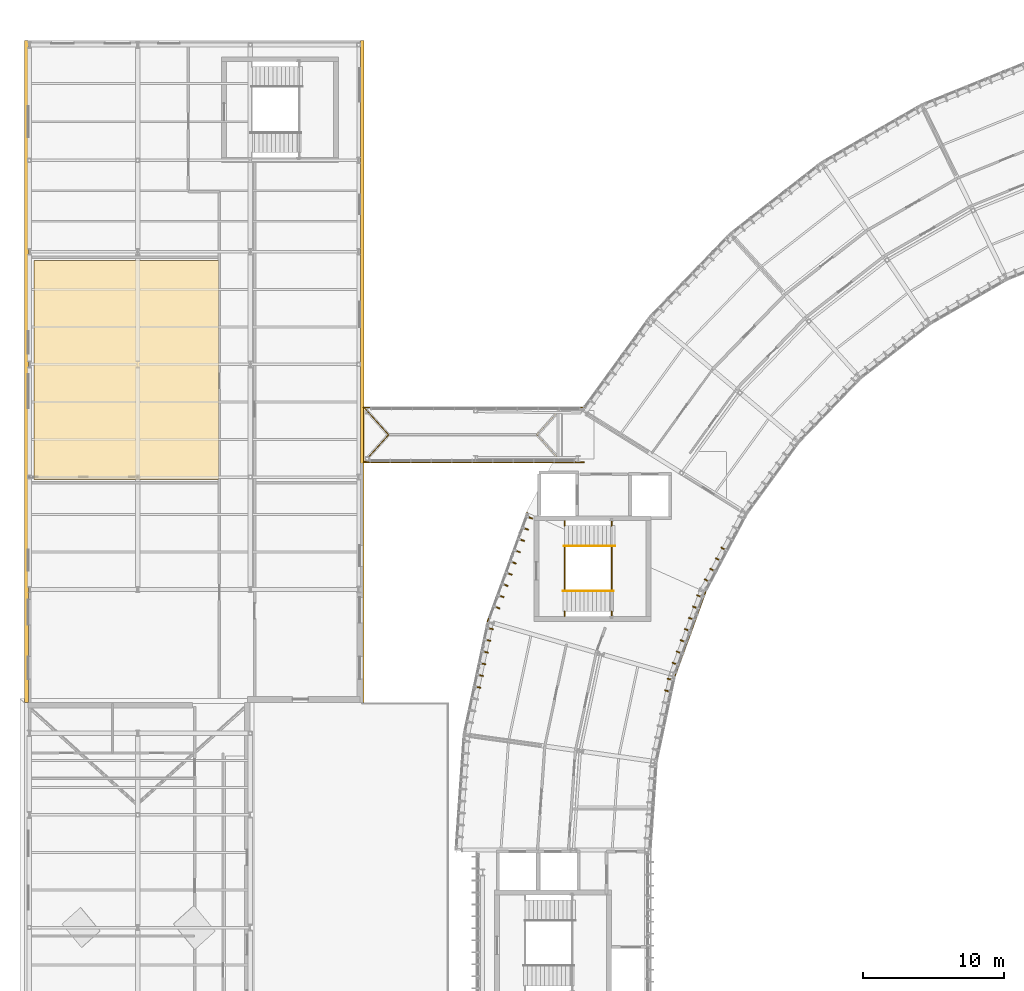
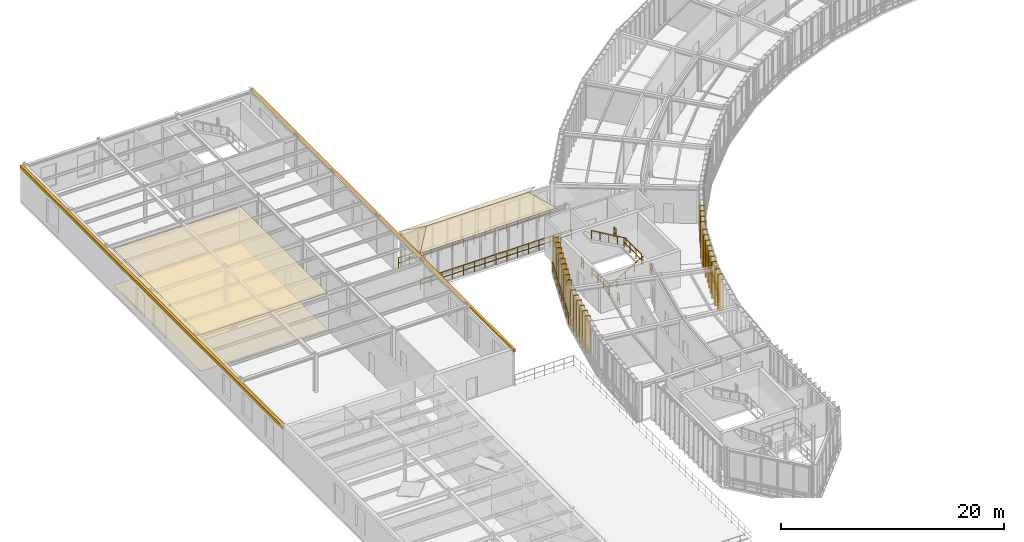
# One storey, part 48 of 52: 35 coverings, 12 railings.
"""IFC4 building model written with IfcOpenShell, lengths in metres."""

from ifc_helpers import new_model, si_unit, direction, frame, origin, origin_2d, place, context, subcontext, project, spatial, polyline, rectangle, circle, outline, extrude, material, layer, layer_set, type_object, element, save


model = new_model("IFC4")

# Units and contexts
model_context = context("Model", 3, precision=1e-05, world=origin(), true_north=direction((0.0, 1.0)))
body_context = subcontext(model_context, "Body", "Model", "MODEL_VIEW")
ifc_project = project(units=[si_unit("LENGTHUNIT", "METRE"), si_unit("AREAUNIT", "SQUARE_METRE"), si_unit("VOLUMEUNIT", "CUBIC_METRE"), si_unit("PLANEANGLEUNIT", "RADIAN"), si_unit("MASSUNIT", "GRAM", prefix="KILO"), si_unit("THERMODYNAMICTEMPERATUREUNIT", "KELVIN"), si_unit("POWERUNIT", "WATT")], contexts=[model_context])

# Site, building, storey
site_placement = place(None, origin())
site = spatial("IfcSite", under=ifc_project, at=site_placement, CompositionType="ELEMENT")
building_placement = place(site_placement, origin())
building = spatial("IfcBuilding", under=site, at=building_placement, Name="Solvatero Civic Police Headquarters", CompositionType="ELEMENT")
storey_placement = place(building_placement, frame((0.0, 0.0, 13.5)))
storey = spatial("IfcBuildingStorey", under=building, at=storey_placement, Name="L03", CompositionType="ELEMENT", Elevation=13.5)

# Coverings
ifc_material_1 = material(Name="Mineral-Fibre Acoustic Tile", Category="gypsum")
ifc_layer_1 = layer(ifc_material_1, 0.02490234375)
ifc_layer_set_1 = layer_set([ifc_layer_1], Name="Mineral-Fibre Acoustic Tile")
covering_type_1 = type_object("IfcCoveringType", Name="COV-CEIL-AC", PredefinedType="CEILING", material=ifc_layer_set_1)
covering_1_placement = place(storey_placement, frame((0.0, 0.0, 3.97509765625)))
element("IfcCovering", 1, at=covering_1_placement, inside=storey, type_object=covering_type_1, Name="Acoustic Ceiling Arson Accelerant and Explosives Residue Lab", PredefinedType="CEILING", context=body_context, shape_type="SweptSolid", body=[
    extrude(outline(polyline([(5.1201171875, 52.320068359375), (5.1201171875, 67.8798828125), (18.280029296875, 67.8798828125), (18.280029296875, 52.320068359375), (5.1201171875, 52.320068359375)])), origin(), (0.0, 0.0, 1.0), 0.02490234375),
])
ifc_material_2 = material(Name="Anodized Bronze Aluminium", Category="aluminium")
ifc_layer_2 = layer(ifc_material_2, 0.080078125)
ifc_layer_set_2 = layer_set([ifc_layer_2], Name="Anodized Bronze Aluminium")
covering_type_2 = type_object("IfcCoveringType", Name="COV-FIN-480", PredefinedType="CLADDING", material=ifc_layer_set_2)
for number, where, z_axis, x_axis, name in (
    (2, (54.154296875, 47.382568359375, -0.02001953125), (0.0, 0.0, 1.0), (-0.469486973057, -0.8829393989, 0.0), "Vertical Brise-Soleil Fin 0698"),
    (3, (53.75537109375, 46.632080078125, -0.02001953125), (0.0, 0.0, 1.0), (-0.469486973057, -0.8829393989, 0.0), "Vertical Brise-Soleil Fin 0699"),
    (4, (53.356201171875, 45.881591796875, -0.02001953125), (0.0, 0.0, 1.0), (-0.469486973057, -0.8829393989, 0.0), "Vertical Brise-Soleil Fin 0700"),
    (5, (52.957275390625, 45.131103515625, -0.02001953125), (0.0, 0.0, 1.0), (-0.469486973057, -0.8829393989, 0.0), "Vertical Brise-Soleil Fin 0701"),
    (6, (40.31884765625, 49.632568359375, -0.02001953125), (0.0, 0.0, 1.0), (-0.342020143326, -0.939692620786, 0.0), "Vertical Brise-Soleil Fin 0702"),
    (7, (40.028076171875, 48.833740234375, -0.02001953125), (0.0, 0.0, 1.0), (-0.342020143326, -0.939692620786, 0.0), "Vertical Brise-Soleil Fin 0703"),
    (8, (39.7373046875, 48.03515625, -0.02001953125), (0.0, 0.0, 1.0), (-0.342020143326, -0.939692620786, 0.0), "Vertical Brise-Soleil Fin 0704"),
    (9, (39.44677734375, 47.236328125, -0.02001953125), (0.0, 0.0, 1.0), (-0.342020143326, -0.939692620786, 0.0), "Vertical Brise-Soleil Fin 0705"),
    (10, (39.156005859375, 46.4375, -0.02001953125), (0.0, 0.0, 1.0), (-0.342020143326, -0.939692620786, 0.0), "Vertical Brise-Soleil Fin 0706"),
    (11, (38.865234375, 45.638916015625, -0.02001953125), (0.0, 0.0, 1.0), (-0.342020143326, -0.939692620786, 0.0), "Vertical Brise-Soleil Fin 0707"),
    (12, (38.57470703125, 44.840087890625, -0.02001953125), (0.0, 0.0, 1.0), (-0.342020143326, -0.939692620786, 0.0), "Vertical Brise-Soleil Fin 0708"),
    (13, (38.283935546875, 44.04150390625, -0.02001953125), (0.0, 0.0, 1.0), (-0.342020143326, -0.939692620786, 0.0), "Vertical Brise-Soleil Fin 0709"),
    (14, (37.9931640625, 43.24267578125, -0.02001953125), (0.0, 0.0, 1.0), (-0.342020143326, -0.939692620786, 0.0), "Vertical Brise-Soleil Fin 0710"),
    (15, (52.4384765625, 44.025390625, -0.02001953125), (0.0, 0.0, 1.0), (-0.342020143326, -0.939692620786, 0.0), "Vertical Brise-Soleil Fin 0711"),
    (16, (52.147705078125, 43.2265625, -0.02001953125), (0.0, 0.0, 1.0), (-0.342020143326, -0.939692620786, 0.0), "Vertical Brise-Soleil Fin 0712"),
    (17, (51.85693359375, 42.427978515625, -0.02001953125), (0.0, 0.0, 1.0), (-0.342020143326, -0.939692620786, 0.0), "Vertical Brise-Soleil Fin 0713"),
    (18, (51.56640625, 41.629150390625, -0.02001953125), (0.0, 0.0, 1.0), (-0.342020143326, -0.939692620786, 0.0), "Vertical Brise-Soleil Fin 0714"),
    (19, (51.275634765625, 40.830322265625, -0.02001953125), (0.0, 0.0, 1.0), (-0.342020143326, -0.939692620786, 0.0), "Vertical Brise-Soleil Fin 0715"),
    (20, (50.98486328125, 40.03173828125, -0.02001953125), (0.0, 0.0, 1.0), (-0.342020143326, -0.939692620786, 0.0), "Vertical Brise-Soleil Fin 0716"),
    (21, (50.694091796875, 39.23291015625, -0.02001953125), (0.0, 0.0, 1.0), (-0.342020143326, -0.939692620786, 0.0), "Vertical Brise-Soleil Fin 0717"),
    (22, (37.511474609375, 41.73974609375, -0.02001953125), (0.0, 0.0, 1.0), (-0.207928762682, -0.978143971841, 0.0), "Vertical Brise-Soleil Fin 0718"),
    (23, (37.334716796875, 40.908447265625, -0.02001953125), (0.0, 0.0, 1.0), (-0.207928762682, -0.978143971841, 0.0), "Vertical Brise-Soleil Fin 0719"),
    (24, (37.158203125, 40.076904296875, -0.02001953125), (0.0, 0.0, 1.0), (-0.207928762682, -0.978143971841, 0.0), "Vertical Brise-Soleil Fin 0720"),
    (25, (36.9814453125, 39.24560546875, -0.02001953125), (0.0, 0.0, 1.0), (-0.207928762682, -0.978143971841, 0.0), "Vertical Brise-Soleil Fin 0721"),
    (26, (36.8046875, 38.4140625, -0.02001953125), (0.0, 0.0, 1.0), (-0.207928762682, -0.978143971841, 0.0), "Vertical Brise-Soleil Fin 0722"),
    (27, (36.6279296875, 37.582763671875, -0.02001953125), (0.0, 0.0, 1.0), (-0.207928762682, -0.978143971841, 0.0), "Vertical Brise-Soleil Fin 0723"),
    (28, (50.347412109375, 38.127685546875, -0.02001953125), (0.0, 0.0, 1.0), (-0.207911690818, -0.978147600734, 0.0), "Vertical Brise-Soleil Fin 0727"),
    (29, (50.1708984375, 37.29638671875, -0.02001953125), (0.0, 0.0, 1.0), (-0.207911690818, -0.978147600734, 0.0), "Vertical Brise-Soleil Fin 0728"),
):
    element("IfcCovering", number, at=place(storey_placement, frame(where, z_axis=z_axis, x_axis=x_axis)), inside=storey, type_object=covering_type_2, Name=name, PredefinedType="CLADDING", context=body_context, shape_type="SweptSolid", body=[
        extrude(rectangle(XDim=0.080078125, YDim=0.47998046875, at=origin_2d()), origin(), (0.0, 0.0, 1.0), 4.0400390625),
    ])
ifc_material_3 = material(Name="Anti-Static Laboratory Epoxy", Category="plastic")
ifc_layer_3 = layer(ifc_material_3, 0.014892578125)
ifc_layer_set_3 = layer_set([ifc_layer_3], Name="Anti-Static Laboratory Epoxy")
covering_type_3 = type_object("IfcCoveringType", Name="COV-FLR-EPX", PredefinedType="FLOORING", material=ifc_layer_set_3)
covering_2_placement = place(storey_placement, origin())
element("IfcCovering", 30, at=covering_2_placement, inside=storey, type_object=covering_type_3, Name="Flooring Arson Accelerant and Explosives Residue Lab", PredefinedType="FLOORING", context=body_context, shape_type="SweptSolid", body=[
    extrude(outline(polyline([(5.1201171875, 52.320068359375), (5.1201171875, 67.8798828125), (18.280029296875, 67.8798828125), (18.280029296875, 52.320068359375), (5.1201171875, 52.320068359375)])), origin(), (0.0, 0.0, 1.0), 0.014892578125),
])
ifc_material_4 = material(Name="Lombard Terracotta Clay Tile", Category="masonry")
ifc_layer_4 = layer(ifc_material_4, 0.06005859375)
ifc_layer_set_4 = layer_set([ifc_layer_4], Name="Lombard Terracotta Clay Tile")
covering_type_4 = type_object("IfcCoveringType", Name="COV-RF-TILE", PredefinedType="ROOFING", material=ifc_layer_set_4)
for number, where, z_axis, x_axis, name in (
    (31, (28.5400390625, 53.5400390625, 3.989990234375), (0.0, -0.512544009094, 0.858660956805), (1.0, 0.0, 0.0), "SB1R Lombard Terracotta Hipped Roof Covering S"),
    (32, (42.659912109375, 57.4599609375, 3.989990234375), (0.0, 0.512544009094, 0.858660956805), (-1.0, 0.0, 0.0), "SB1R Lombard Terracotta Hipped Roof Covering N"),
):
    element("IfcCovering", number, at=place(storey_placement, frame(where, z_axis=z_axis, x_axis=x_axis)), inside=storey, type_object=covering_type_4, Name=name, PredefinedType="ROOFING", context=body_context, shape_type="SweptSolid", body=[
        extrude(outline(polyline([(0.0, 0.0), (14.119873046875, 0.0), (12.349853515625, 2.282578382034097), (1.77001953125, 2.282578382034097), (0.0, 0.0)])), origin(), (0.0, 0.0, -1.0), 0.06005859375),
    ])
covering_3_placement = place(storey_placement, frame((28.5400390625, 57.4599609375, 3.989990234375), z_axis=(-0.551403153833, 0.0, 0.834238911789), x_axis=(0.0, -1.0, 0.0)))
element("IfcCovering", 33, at=covering_3_placement, inside=storey, type_object=covering_type_4, Name="SB1R Lombard Terracotta Hipped Roof Covering W", PredefinedType="ROOFING", context=body_context, shape_type="SweptSolid", body=[
    extrude(outline(polyline([(0.0, 0.0), (3.919921875, 0.0), (1.9599609375, 2.121717779208626), (0.0, 0.0)])), origin(), (0.0, 0.0, -1.0), 0.06005859375),
])
ifc_material_5 = material(Name="Cream Limestone Ashlar", Category="masonry")
ifc_layer_5 = layer(ifc_material_5, 0.10009765625)
ifc_layer_set_5 = layer_set([ifc_layer_5], Name="Cream Limestone Ashlar")
covering_type_5 = type_object("IfcCoveringType", Name="COV-TRIM-STONE", PredefinedType="CLADDING", material=ifc_layer_set_5)
covering_4_placement = place(storey_placement, frame((4.60009765625, 60.0, 3.56005859375), z_axis=(0.0, 0.0, 1.0), x_axis=(1.0, 0.0, 0.0)))
element("IfcCovering", 34, at=covering_4_placement, inside=storey, type_object=covering_type_5, Name="Classical Limestone Trim TRIM-V6-L03-W", PredefinedType="CLADDING", context=body_context, shape_type="SweptSolid", body=[
    extrude(rectangle(XDim=0.280029296875, YDim=47.0, at=origin_2d()), origin(), (0.0, 0.0, 1.0), 0.320068359375),
])
covering_5_placement = place(storey_placement, frame((28.43994140625, 60.0, 3.56982421875), z_axis=(0.0, 0.0, 1.0), x_axis=(1.0, 0.0, 0.0)))
element("IfcCovering", 35, at=covering_5_placement, inside=storey, type_object=covering_type_5, Name="Classical Limestone Trim TRIM-V6-L03-E", PredefinedType="CLADDING", context=body_context, shape_type="SweptSolid", body=[
    extrude(rectangle(XDim=0.239990234375, YDim=47.0, at=origin_2d()), origin(), (0.0, 0.0, 1.0), 0.300048828125),
])

# Railings
ifc_material_6 = material(Name="Anodized Bronze and Laminated Glass", Category="glass")
railing_type_1 = type_object("IfcRailingType", Name="RL-BAL-115", PredefinedType="BALUSTRADE", material=ifc_material_6)
railing_1_placement = place(storey_placement, frame((28.550048828125, 53.550048828125, 0.0)))
element("IfcRailing", 36, at=railing_1_placement, inside=storey, type_object=railing_type_1, Name="Glazed Facade Sill Balustrade RL-L03-SB1-S", PredefinedType="BALUSTRADE", context=body_context, shape_type="SweptSolid", body=[
    extrude(circle(Radius=0.02392578125, at=origin_2d()), frame((0.0, 0.0, 1.1259765625), z_axis=(1.0, 0.0, 0.0), x_axis=(0.0, 1.0, 0.0)), (0.0, 0.0, 1.0), 15.64990234375),
    extrude(circle(Radius=0.02392578125, at=origin_2d()), frame((0.0, 0.0, 0.55078125), z_axis=(1.0, 0.0, 0.0), x_axis=(0.0, 1.0, 0.0)), (0.0, 0.0, 1.0), 15.64990234375),
    extrude(circle(Radius=0.02099609375, at=origin_2d()), origin(), (0.0, 0.0, 1.0), 1.101806640625),
    extrude(circle(Radius=0.02099609375, at=origin_2d()), frame((1.117919921875, 0.0, 0.0)), (0.0, 0.0, 1.0), 1.101806640625),
    extrude(circle(Radius=0.02099609375, at=origin_2d()), frame((2.235595703125, 0.0, 0.0)), (0.0, 0.0, 1.0), 1.101806640625),
    extrude(circle(Radius=0.02099609375, at=origin_2d()), frame((3.353515625, 0.0, 0.0)), (0.0, 0.0, 1.0), 1.101806640625),
    extrude(circle(Radius=0.02099609375, at=origin_2d()), frame((4.471435546875, 0.0, 0.0)), (0.0, 0.0, 1.0), 1.101806640625),
    extrude(circle(Radius=0.02099609375, at=origin_2d()), frame((5.58935546875, 0.0, 0.0)), (0.0, 0.0, 1.0), 1.101806640625),
    extrude(circle(Radius=0.02099609375, at=origin_2d()), frame((6.70703125, 0.0, 0.0)), (0.0, 0.0, 1.0), 1.101806640625),
    extrude(circle(Radius=0.02099609375, at=origin_2d()), frame((7.824951171875, 0.0, 0.0)), (0.0, 0.0, 1.0), 1.101806640625),
    extrude(circle(Radius=0.02099609375, at=origin_2d()), frame((8.94287109375, 0.0, 0.0)), (0.0, 0.0, 1.0), 1.101806640625),
    extrude(circle(Radius=0.02099609375, at=origin_2d()), frame((10.060546875, 0.0, 0.0)), (0.0, 0.0, 1.0), 1.101806640625),
    extrude(circle(Radius=0.02099609375, at=origin_2d()), frame((11.178466796875, 0.0, 0.0)), (0.0, 0.0, 1.0), 1.101806640625),
    extrude(circle(Radius=0.02099609375, at=origin_2d()), frame((12.29638671875, 0.0, 0.0)), (0.0, 0.0, 1.0), 1.101806640625),
    extrude(circle(Radius=0.02099609375, at=origin_2d()), frame((13.414306640625, 0.0, 0.0)), (0.0, 0.0, 1.0), 1.101806640625),
    extrude(circle(Radius=0.02099609375, at=origin_2d()), frame((14.531982421875, 0.0, 0.0)), (0.0, 0.0, 1.0), 1.101806640625),
    extrude(circle(Radius=0.02099609375, at=origin_2d()), frame((15.64990234375, 0.0, 0.0)), (0.0, 0.0, 1.0), 1.101806640625),
])
railing_2_placement = place(storey_placement, frame((28.550048828125, 57.449951171875, 0.0)))
element("IfcRailing", 37, at=railing_2_placement, inside=storey, type_object=railing_type_1, Name="Glazed Facade Sill Balustrade RL-L03-SB1-N", PredefinedType="BALUSTRADE", context=body_context, shape_type="SweptSolid", body=[
    extrude(circle(Radius=0.02392578125, at=origin_2d()), frame((0.0, 0.0, 1.1259765625), z_axis=(1.0, 0.0, 0.0), x_axis=(0.0, 1.0, 0.0)), (0.0, 0.0, 1.0), 15.64990234375),
    extrude(circle(Radius=0.02392578125, at=origin_2d()), frame((0.0, 0.0, 0.55078125), z_axis=(1.0, 0.0, 0.0), x_axis=(0.0, 1.0, 0.0)), (0.0, 0.0, 1.0), 15.64990234375),
    extrude(circle(Radius=0.02099609375, at=origin_2d()), origin(), (0.0, 0.0, 1.0), 1.101806640625),
    extrude(circle(Radius=0.02099609375, at=origin_2d()), frame((1.117919921875, 0.0, 0.0)), (0.0, 0.0, 1.0), 1.101806640625),
    extrude(circle(Radius=0.02099609375, at=origin_2d()), frame((2.235595703125, 0.0, 0.0)), (0.0, 0.0, 1.0), 1.101806640625),
    extrude(circle(Radius=0.02099609375, at=origin_2d()), frame((3.353515625, 0.0, 0.0)), (0.0, 0.0, 1.0), 1.101806640625),
    extrude(circle(Radius=0.02099609375, at=origin_2d()), frame((4.471435546875, 0.0, 0.0)), (0.0, 0.0, 1.0), 1.101806640625),
    extrude(circle(Radius=0.02099609375, at=origin_2d()), frame((5.58935546875, 0.0, 0.0)), (0.0, 0.0, 1.0), 1.101806640625),
    extrude(circle(Radius=0.02099609375, at=origin_2d()), frame((6.70703125, 0.0, 0.0)), (0.0, 0.0, 1.0), 1.101806640625),
    extrude(circle(Radius=0.02099609375, at=origin_2d()), frame((7.824951171875, 0.0, 0.0)), (0.0, 0.0, 1.0), 1.101806640625),
    extrude(circle(Radius=0.02099609375, at=origin_2d()), frame((8.94287109375, 0.0, 0.0)), (0.0, 0.0, 1.0), 1.101806640625),
    extrude(circle(Radius=0.02099609375, at=origin_2d()), frame((10.060546875, 0.0, 0.0)), (0.0, 0.0, 1.0), 1.101806640625),
    extrude(circle(Radius=0.02099609375, at=origin_2d()), frame((11.178466796875, 0.0, 0.0)), (0.0, 0.0, 1.0), 1.101806640625),
    extrude(circle(Radius=0.02099609375, at=origin_2d()), frame((12.29638671875, 0.0, 0.0)), (0.0, 0.0, 1.0), 1.101806640625),
    extrude(circle(Radius=0.02099609375, at=origin_2d()), frame((13.414306640625, 0.0, 0.0)), (0.0, 0.0, 1.0), 1.101806640625),
    extrude(circle(Radius=0.02099609375, at=origin_2d()), frame((14.531982421875, 0.0, 0.0)), (0.0, 0.0, 1.0), 1.101806640625),
    extrude(circle(Radius=0.02099609375, at=origin_2d()), frame((15.64990234375, 0.0, 0.0)), (0.0, 0.0, 1.0), 1.101806640625),
])
railing_3_placement = place(storey_placement, frame((52.835693359375, 44.32763671875, 0.0)))
element("IfcRailing", 38, at=railing_3_placement, inside=storey, type_object=railing_type_1, Name="Glazed Facade Sill Balustrade RL-L03-ARCIN-B10", PredefinedType="BALUSTRADE", context=body_context, shape_type="SweptSolid", body=[
    extrude(circle(Radius=0.02392578125, at=origin_2d()), frame((0.0, 0.0, 1.1259765625), z_axis=(-0.342020563113, -0.939692467996, 0.0), x_axis=(0.939692467996, -0.342020563113, 0.0)), (0.0, 0.0, 1.0), 6.28662109375),
    extrude(circle(Radius=0.02392578125, at=origin_2d()), frame((0.0, 0.0, 0.55078125), z_axis=(-0.342020563113, -0.939692467996, 0.0), x_axis=(0.939692467996, -0.342020563113, 0.0)), (0.0, 0.0, 1.0), 6.28662109375),
    extrude(circle(Radius=0.02099609375, at=origin_2d()), origin(), (0.0, 0.0, 1.0), 1.101806640625),
    extrude(circle(Radius=0.02099609375, at=origin_2d()), frame((-0.3583984375, -0.984619140625, 0.0)), (0.0, 0.0, 1.0), 1.101806640625),
    extrude(circle(Radius=0.02099609375, at=origin_2d()), frame((-0.716796875, -1.96923828125, 0.0)), (0.0, 0.0, 1.0), 1.101806640625),
    extrude(circle(Radius=0.02099609375, at=origin_2d()), frame((-1.0751953125, -2.95361328125, 0.0)), (0.0, 0.0, 1.0), 1.101806640625),
    extrude(circle(Radius=0.02099609375, at=origin_2d()), frame((-1.433349609375, -3.938232421875, 0.0)), (0.0, 0.0, 1.0), 1.101806640625),
    extrude(circle(Radius=0.02099609375, at=origin_2d()), frame((-1.791748046875, -4.9228515625, 0.0)), (0.0, 0.0, 1.0), 1.101806640625),
    extrude(circle(Radius=0.02099609375, at=origin_2d()), frame((-2.150146484375, -5.907470703125, 0.0)), (0.0, 0.0, 1.0), 1.101806640625),
])
railing_4_placement = place(storey_placement, frame((40.155517578125, 49.97314453125, 0.0)))
element("IfcRailing", 39, at=railing_4_placement, inside=storey, type_object=railing_type_1, Name="Glazed Facade Sill Balustrade RL-L03-ARCOUT-B10", PredefinedType="BALUSTRADE", context=body_context, shape_type="SweptSolid", body=[
    extrude(circle(Radius=0.02392578125, at=origin_2d()), frame((0.0, 0.0, 1.1259765625), z_axis=(-0.342002894578, -0.939698898637, 0.0), x_axis=(0.939698898637, -0.342002894578, 0.0)), (0.0, 0.0, 1.0), 8.222900390625),
    extrude(circle(Radius=0.02392578125, at=origin_2d()), frame((0.0, 0.0, 0.55078125), z_axis=(-0.342002894578, -0.939698898637, 0.0), x_axis=(0.939698898637, -0.342002894578, 0.0)), (0.0, 0.0, 1.0), 8.222900390625),
    extrude(circle(Radius=0.02099609375, at=origin_2d()), origin(), (0.0, 0.0, 1.0), 1.101806640625),
    extrude(circle(Radius=0.02099609375, at=origin_2d()), frame((-0.40185546875, -1.103759765625, 0.0)), (0.0, 0.0, 1.0), 1.101806640625),
    extrude(circle(Radius=0.02099609375, at=origin_2d()), frame((-0.803466796875, -2.207763671875, 0.0)), (0.0, 0.0, 1.0), 1.101806640625),
    extrude(circle(Radius=0.02099609375, at=origin_2d()), frame((-1.205322265625, -3.3115234375, 0.0)), (0.0, 0.0, 1.0), 1.101806640625),
    extrude(circle(Radius=0.02099609375, at=origin_2d()), frame((-1.60693359375, -4.41552734375, 0.0)), (0.0, 0.0, 1.0), 1.101806640625),
    extrude(circle(Radius=0.02099609375, at=origin_2d()), frame((-2.0087890625, -5.519287109375, 0.0)), (0.0, 0.0, 1.0), 1.101806640625),
    extrude(circle(Radius=0.02099609375, at=origin_2d()), frame((-2.410400390625, -6.623291015625, 0.0)), (0.0, 0.0, 1.0), 1.101806640625),
    extrude(circle(Radius=0.02099609375, at=origin_2d()), frame((-2.812255859375, -7.72705078125, 0.0)), (0.0, 0.0, 1.0), 1.101806640625),
])
ifc_material_7 = material(Name="Painted Galvanized Steel", Category="steel")
railing_type_2 = type_object("IfcRailingType", Name="RL-GRD-110", PredefinedType="GUARDRAIL", material=ifc_material_7)
railing_5_placement = place(storey_placement, frame((42.830078125, 44.429931640625, 0.0)))
element("IfcRailing", 40, at=railing_5_placement, inside=storey, type_object=railing_type_2, Name="ST-C2 L03 Floor Well Guardrail", PredefinedType="GUARDRAIL", context=body_context, shape_type="SweptSolid", body=[
    extrude(circle(Radius=0.02392578125, at=origin_2d()), frame((0.0, 0.0, 1.09619140625), z_axis=(0.0, 1.0, 0.0), x_axis=(-1.0, 0.0, 0.0)), (0.0, 0.0, 1.0), 3.14013671875),
    extrude(circle(Radius=0.02392578125, at=origin_2d()), frame((0.0, 0.0, 0.5361328125), z_axis=(0.0, 1.0, 0.0), x_axis=(-1.0, 0.0, 0.0)), (0.0, 0.0, 1.0), 3.14013671875),
    extrude(circle(Radius=0.02099609375, at=origin_2d()), origin(), (0.0, 0.0, 1.0), 1.072021484375),
    extrude(circle(Radius=0.02099609375, at=origin_2d()), frame((0.0, 1.046630859375, 0.0)), (0.0, 0.0, 1.0), 1.072021484375),
    extrude(circle(Radius=0.02099609375, at=origin_2d()), frame((0.0, 2.093505859375, 0.0)), (0.0, 0.0, 1.0), 1.072021484375),
    extrude(circle(Radius=0.02099609375, at=origin_2d()), frame((0.0, 3.14013671875, 0.0)), (0.0, 0.0, 1.0), 1.072021484375),
])
for number, where, name in (
    (41, (42.830078125, 42.610107421875, 0.0), "ST-C2 L03 Floor Well South Slot Guardrail"),
    (42, (42.830078125, 49.030029296875, 0.0), "ST-C2 L03 Floor Well North Slot Guardrail"),
):
    element("IfcRailing", number, at=place(storey_placement, frame(where)), inside=storey, type_object=railing_type_2, Name=name, PredefinedType="GUARDRAIL", context=body_context, shape_type="SweptSolid", body=[
        extrude(circle(Radius=0.02392578125, at=origin_2d()), frame((0.0, 0.0, 1.09619140625), z_axis=(0.0, 1.0, 0.0), x_axis=(-1.0, 0.0, 0.0)), (0.0, 0.0, 1.0), 0.35986328125),
        extrude(circle(Radius=0.02392578125, at=origin_2d()), frame((0.0, 0.0, 0.5361328125), z_axis=(0.0, 1.0, 0.0), x_axis=(-1.0, 0.0, 0.0)), (0.0, 0.0, 1.0), 0.35986328125),
        extrude(circle(Radius=0.02099609375, at=origin_2d()), origin(), (0.0, 0.0, 1.0), 1.072021484375),
        extrude(circle(Radius=0.02099609375, at=origin_2d()), frame((0.0, 0.35986328125, 0.0)), (0.0, 0.0, 1.0), 1.072021484375),
    ])
railing_6_placement = place(storey_placement, frame((46.169921875, 44.429931640625, 2.10009765625)))
element("IfcRailing", 43, at=railing_6_placement, inside=storey, type_object=railing_type_2, Name="ST-C2 L03 Half-Landing Well Guardrail", PredefinedType="GUARDRAIL", context=body_context, shape_type="SweptSolid", body=[
    extrude(circle(Radius=0.02392578125, at=origin_2d()), frame((0.0, 0.0, 1.09619140625), z_axis=(0.0, 1.0, 0.0), x_axis=(-1.0, 0.0, 0.0)), (0.0, 0.0, 1.0), 3.14013671875),
    extrude(circle(Radius=0.02392578125, at=origin_2d()), frame((0.0, 0.0, 0.5361328125), z_axis=(0.0, 1.0, 0.0), x_axis=(-1.0, 0.0, 0.0)), (0.0, 0.0, 1.0), 3.14013671875),
    extrude(circle(Radius=0.02099609375, at=origin_2d()), origin(), (0.0, 0.0, 1.0), 1.072021484375),
    extrude(circle(Radius=0.02099609375, at=origin_2d()), frame((0.0, 1.046630859375, 0.0)), (0.0, 0.0, 1.0), 1.072021484375),
    extrude(circle(Radius=0.02099609375, at=origin_2d()), frame((0.0, 2.093505859375, 0.0)), (0.0, 0.0, 1.0), 1.072021484375),
    extrude(circle(Radius=0.02099609375, at=origin_2d()), frame((0.0, 3.14013671875, 0.0)), (0.0, 0.0, 1.0), 1.072021484375),
])
for number, where, name in (
    (44, (46.169921875, 42.610107421875, 2.10009765625), "ST-C2 L03 Half-Landing South Slot Guardrail"),
    (45, (46.169921875, 49.030029296875, 2.10009765625), "ST-C2 L03 Half-Landing North Slot Guardrail"),
):
    element("IfcRailing", number, at=place(storey_placement, frame(where)), inside=storey, type_object=railing_type_2, Name=name, PredefinedType="GUARDRAIL", context=body_context, shape_type="SweptSolid", body=[
        extrude(circle(Radius=0.02392578125, at=origin_2d()), frame((0.0, 0.0, 1.09619140625), z_axis=(0.0, 1.0, 0.0), x_axis=(-1.0, 0.0, 0.0)), (0.0, 0.0, 1.0), 0.35986328125),
        extrude(circle(Radius=0.02392578125, at=origin_2d()), frame((0.0, 0.0, 0.5361328125), z_axis=(0.0, 1.0, 0.0), x_axis=(-1.0, 0.0, 0.0)), (0.0, 0.0, 1.0), 0.35986328125),
        extrude(circle(Radius=0.02099609375, at=origin_2d()), origin(), (0.0, 0.0, 1.0), 1.072021484375),
        extrude(circle(Radius=0.02099609375, at=origin_2d()), frame((0.0, 0.35986328125, 0.0)), (0.0, 0.0, 1.0), 1.072021484375),
    ])
ifc_material_8 = material(Name="Brushed Stainless Steel", Category="steel")
railing_type_3 = type_object("IfcRailingType", Name="RL-HND-092", PredefinedType="HANDRAIL", material=ifc_material_8)
railing_7_placement = place(storey_placement, frame((42.699951171875, 44.39990234375, 0.0)))
element("IfcRailing", 46, at=railing_7_placement, inside=storey, type_object=railing_type_3, Name="ST-C2 L03 Flight 1 Handrail", PredefinedType="HANDRAIL", context=body_context, shape_type="SweptSolid", body=[
    extrude(circle(Radius=0.02392578125, at=origin_2d()), frame((0.0, 0.0, 0.89599609375), z_axis=(0.863774651768, 0.0, 0.503878309678), x_axis=(0.0, 1.0, 0.0)), (0.0, 0.0, 1.0), 4.16796875),
    extrude(circle(Radius=0.02099609375, at=origin_2d()), origin(), (0.0, 0.0, 1.0), 0.871826171875),
    extrude(circle(Radius=0.02099609375, at=origin_2d()), frame((0.89990234375, 0.0, 0.52490234375)), (0.0, 0.0, 1.0), 0.871826171875),
    extrude(circle(Radius=0.02099609375, at=origin_2d()), frame((1.800048828125, 0.0, 1.050048828125)), (0.0, 0.0, 1.0), 0.871826171875),
    extrude(circle(Radius=0.02099609375, at=origin_2d()), frame((2.7001953125, 0.0, 1.5751953125)), (0.0, 0.0, 1.0), 0.871826171875),
    extrude(circle(Radius=0.02099609375, at=origin_2d()), frame((3.60009765625, 0.0, 2.10009765625)), (0.0, 0.0, 1.0), 0.871826171875),
])
railing_8_placement = place(storey_placement, frame((46.39990234375, 47.60009765625, 2.10009765625)))
element("IfcRailing", 47, at=railing_8_placement, inside=storey, type_object=railing_type_3, Name="ST-C2 L03 Flight 2 Handrail", PredefinedType="HANDRAIL", context=body_context, shape_type="SweptSolid", body=[
    extrude(circle(Radius=0.02392578125, at=origin_2d()), frame((0.0, 0.0, 0.89599609375), z_axis=(-0.86378527499, 0.0, 0.503860098351), x_axis=(0.0, -1.0, 0.0)), (0.0, 0.0, 1.0), 4.16748046875),
    extrude(circle(Radius=0.02099609375, at=origin_2d()), origin(), (0.0, 0.0, 1.0), 0.871826171875),
    extrude(circle(Radius=0.02099609375, at=origin_2d()), frame((-0.89990234375, 0.0, 0.52490234375)), (0.0, 0.0, 1.0), 0.871826171875),
    extrude(circle(Radius=0.02099609375, at=origin_2d()), frame((-1.7998046875, 0.0, 1.0498046875)), (0.0, 0.0, 1.0), 0.871826171875),
    extrude(circle(Radius=0.02099609375, at=origin_2d()), frame((-2.699951171875, 0.0, 1.574951171875)), (0.0, 0.0, 1.0), 0.871826171875),
    extrude(circle(Radius=0.02099609375, at=origin_2d()), frame((-3.599853515625, 0.0, 2.099853515625)), (0.0, 0.0, 1.0), 0.871826171875),
])

save(model, "model.ifc")
